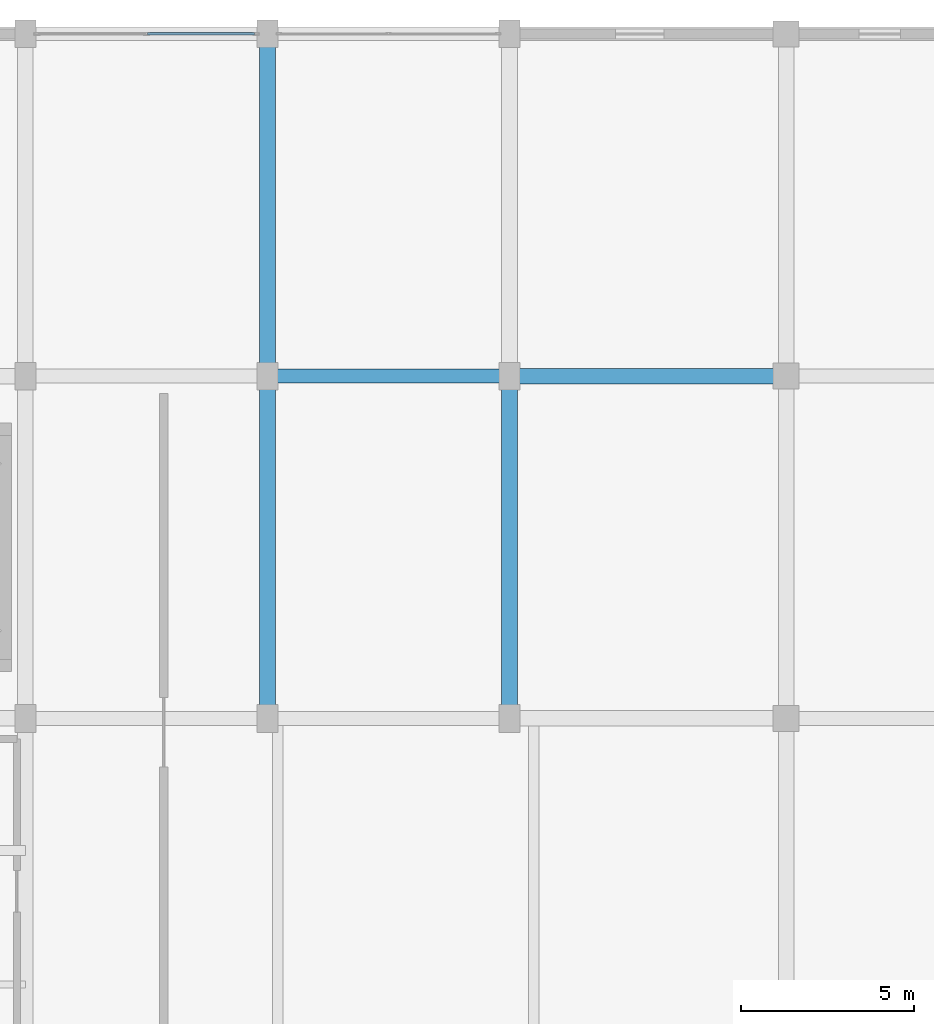
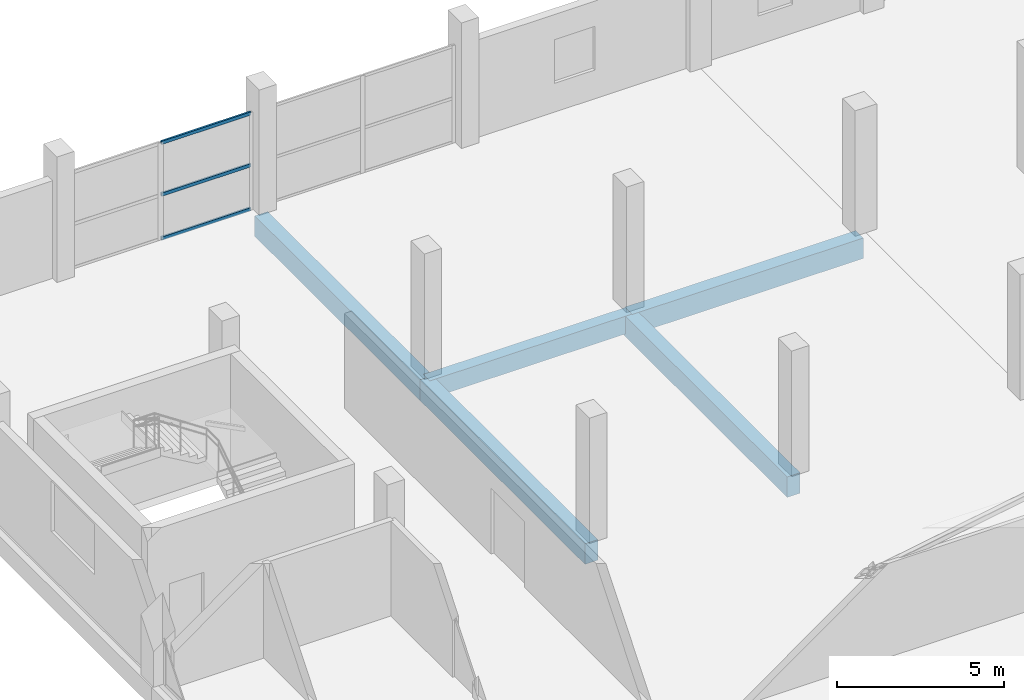
# One storey, part 32 of 58: 5 beams, 3 members, 1 element without a shape of its own.
"""IFC4 building model written with IfcOpenShell, lengths in metres."""

from ifc_helpers import new_model, si_unit, direction, frame, origin, origin_2d, place, context, subcontext, project, spatial, rectangle, hollow_rectangle, extrude, material, layer, layer_set, material_profile, profile_set, type_object, element, aggregate, save


model = new_model("IFC4")

# Units and contexts
model_context = context("Model", 3, precision=1e-05, world=origin(), true_north=direction((0.0, 1.0)))
body_context = subcontext(model_context, "Body", "Model", "MODEL_VIEW")
ifc_project = project(units=[si_unit("LENGTHUNIT", "METRE"), si_unit("AREAUNIT", "SQUARE_METRE"), si_unit("VOLUMEUNIT", "CUBIC_METRE"), si_unit("PLANEANGLEUNIT", "RADIAN"), si_unit("MASSUNIT", "GRAM", prefix="KILO")], contexts=[model_context])

# Site, building, storey
site_placement = place(None, origin())
site = spatial("IfcSite", under=ifc_project, at=site_placement, CompositionType="ELEMENT")
building_placement = place(site_placement, origin())
building = spatial("IfcBuilding", under=site, at=building_placement, Name="Sillaruma Civic Art Gallery", CompositionType="ELEMENT")
storey_placement = place(building_placement, frame((0.0, 0.0, 28.56005859375)))
storey = spatial("IfcBuildingStorey", under=building, at=storey_placement, Name="L05", CompositionType="ELEMENT", Elevation=28.56005859375)

# Beams
ifc_material_1 = material(Name="Concrete H35 (35 MPa)", Category="concrete")
ifc_material_profile_1 = material_profile(ifc_material_1, rectangle(XDim=0.39990234375, YDim=0.64990234375, at=origin_2d()), Name="RCB400x650")
ifc_profile_set_1 = profile_set([ifc_material_profile_1], Name="Concrete H35 (35 MPa)")
beam_type_1 = type_object("IfcBeamType", Name="BM-BEAM-RCB400x650", PredefinedType="BEAM", material=ifc_profile_set_1)
beam_1_placement = place(storey_placement, frame((77.0, 89.10009765625, -0.60498046875), z_axis=(1.0, 0.0, 0.0), x_axis=(0.0, 1.0, 0.0)))
element("IfcBeam", 1, at=beam_1_placement, inside=storey, type_object=beam_type_1, Name="Beam BM-05 (L04:10:H-J)", PredefinedType="BEAM", context=body_context, shape_type="SweptSolid", body=[
    extrude(rectangle(XDim=0.39990234375, YDim=0.64990234375, at=origin_2d()), origin(), (0.0, 0.0, 1.0), 7.0),
])
ifc_material_2 = material(Name="Concrete H40 (40 MPa)", Category="concrete")
ifc_material_profile_2 = material_profile(ifc_material_2, rectangle(XDim=0.449951171875, YDim=0.75, at=origin_2d()), Name="RCB450x750")
ifc_profile_set_2 = profile_set([ifc_material_profile_2], Name="Concrete H40 (40 MPa)")
beam_type_2 = type_object("IfcBeamType", Name="BM-BEAM-RCB450x750", PredefinedType="BEAM", material=ifc_profile_set_2)
beam_2_placement = place(storey_placement, frame((84.0, 89.10009765625, -0.655029296875), z_axis=(1.0, 0.0, 0.0), x_axis=(0.0, 1.0, 0.0)))
element("IfcBeam", 2, at=beam_2_placement, inside=storey, type_object=beam_type_2, Name="Beam BM-03 (L04:10:J-K)", PredefinedType="BEAM", context=body_context, shape_type="SweptSolid", body=[
    extrude(rectangle(XDim=0.449951171875, YDim=0.75, at=origin_2d()), origin(), (0.0, 0.0, 1.0), 8.0),
])
beam_3_placement = place(storey_placement, frame((77.0, 79.199951171875, -0.655029296875), z_axis=(0.0, 1.0, 0.0), x_axis=(-1.0, 0.0, 0.0)))
element("IfcBeam", 3, at=beam_3_placement, inside=storey, type_object=beam_type_2, Name="Beam BM-03 (L04:H:9-10)", PredefinedType="BEAM", context=body_context, shape_type="SweptSolid", body=[
    extrude(rectangle(XDim=0.449951171875, YDim=0.75, at=origin_2d()), origin(), (0.0, 0.0, 1.0), 9.900146484375),
])
beam_4_placement = place(storey_placement, frame((77.0, 89.10009765625, -0.655029296875), z_axis=(0.0, 1.0, 0.0), x_axis=(-1.0, 0.0, 0.0)))
element("IfcBeam", 4, at=beam_4_placement, inside=storey, type_object=beam_type_2, Name="Beam BM-03 (L04:H:10-11)", PredefinedType="BEAM", context=body_context, shape_type="SweptSolid", body=[
    extrude(rectangle(XDim=0.449951171875, YDim=0.75, at=origin_2d()), origin(), (0.0, 0.0, 1.0), 9.89990234375),
])
beam_5_placement = place(storey_placement, frame((84.0, 79.199951171875, -0.655029296875), z_axis=(0.0, 1.0, 0.0), x_axis=(-1.0, 0.0, 0.0)))
element("IfcBeam", 5, at=beam_5_placement, inside=storey, type_object=beam_type_2, Name="Beam BM-03 (L04:J:9-10)", PredefinedType="BEAM", context=body_context, shape_type="SweptSolid", body=[
    extrude(rectangle(XDim=0.449951171875, YDim=0.75, at=origin_2d()), origin(), (0.0, 0.0, 1.0), 9.900146484375),
])

# Curtain wall, members
ifc_material_3 = material(Name="Thermally Broken Extruded Aluminium 6063-T6", Category="aluminium")
ifc_layer = layer(ifc_material_3, 0.179931640625, Name="Thermally Broken Extruded Aluminium 6063-T6")
ifc_layer_set = layer_set([ifc_layer], Name="Thermally Broken Extruded Aluminium 6063-T6")
curtain_wall_type = type_object("IfcCurtainWallType", Name="CW-UNI-36", PredefinedType="NOTDEFINED", material=ifc_layer_set)
curtain_wall_placement = place(storey_placement, origin())
curtain_wall = element("IfcCurtainWall", 6, at=curtain_wall_placement, inside=storey, type_object=curtain_wall_type, Name="Unitised Curtain Wall CW-36 (CW-L05-N-2)", PredefinedType="NOTDEFINED")
ifc_material_profile_3 = material_profile(ifc_material_3, hollow_rectangle(XDim=0.06494140625, YDim=0.1201171875, WallThickness=0.00341796875, at=origin_2d()), Name="CWT65x120")
ifc_profile_set_3 = profile_set([ifc_material_profile_3], Name="Thermally Broken Extruded Aluminium 6063-T6")
member_type = type_object("IfcMemberType", Name="MEM-TRN-CWT65x120", PredefinedType="USERDEFINED", material=ifc_profile_set_3)
member_1_placement = place(storey_placement, frame((73.534912109375, 99.0, 0.032470703125), z_axis=(1.0, 0.0, 0.0), x_axis=(0.0, 1.0, 0.0)))
member_1 = element("IfcMember", 7, at=member_1_placement, type_object=member_type, Name="CW-36 transom 2.1", ObjectType="TRANSOM", PredefinedType="USERDEFINED", context=body_context, shape_type="SweptSolid", body=[
    extrude(hollow_rectangle(XDim=0.06494140625, YDim=0.1201171875, WallThickness=0.00341796875, at=origin_2d()), origin(), (0.0, 0.0, 1.0), 3.094970703125),
])
member_2_placement = place(storey_placement, frame((73.534912109375, 99.0, 1.64208984375), z_axis=(1.0, 0.0, 0.0), x_axis=(0.0, 1.0, 0.0)))
member_2 = element("IfcMember", 8, at=member_2_placement, type_object=member_type, Name="CW-36 transom 2.2", ObjectType="TRANSOM", PredefinedType="USERDEFINED", context=body_context, shape_type="SweptSolid", body=[
    extrude(hollow_rectangle(XDim=0.06494140625, YDim=0.1201171875, WallThickness=0.00341796875, at=origin_2d()), origin(), (0.0, 0.0, 1.0), 3.094970703125),
])
member_3_placement = place(storey_placement, frame((73.534912109375, 99.0, 3.537353515625), z_axis=(1.0, 0.0, 0.0), x_axis=(0.0, 1.0, 0.0)))
member_3 = element("IfcMember", 9, at=member_3_placement, type_object=member_type, Name="CW-36 transom 2.3", ObjectType="TRANSOM", PredefinedType="USERDEFINED", context=body_context, shape_type="SweptSolid", body=[
    extrude(hollow_rectangle(XDim=0.06494140625, YDim=0.1201171875, WallThickness=0.00341796875, at=origin_2d()), origin(), (0.0, 0.0, 1.0), 3.094970703125),
])
aggregate(curtain_wall, [member_1, member_2, member_3])

save(model, "model.ifc")
